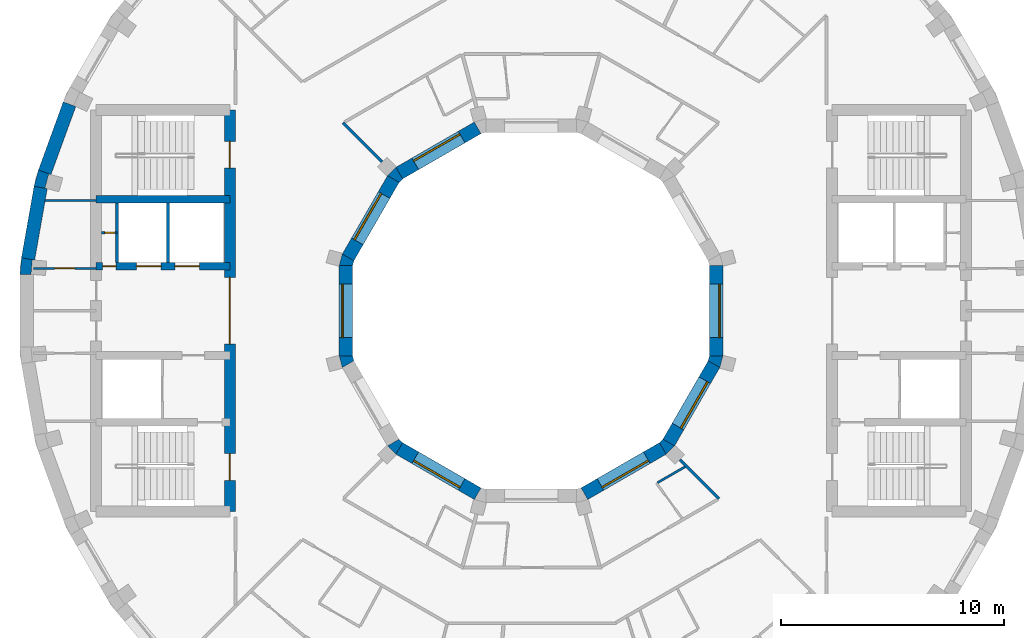
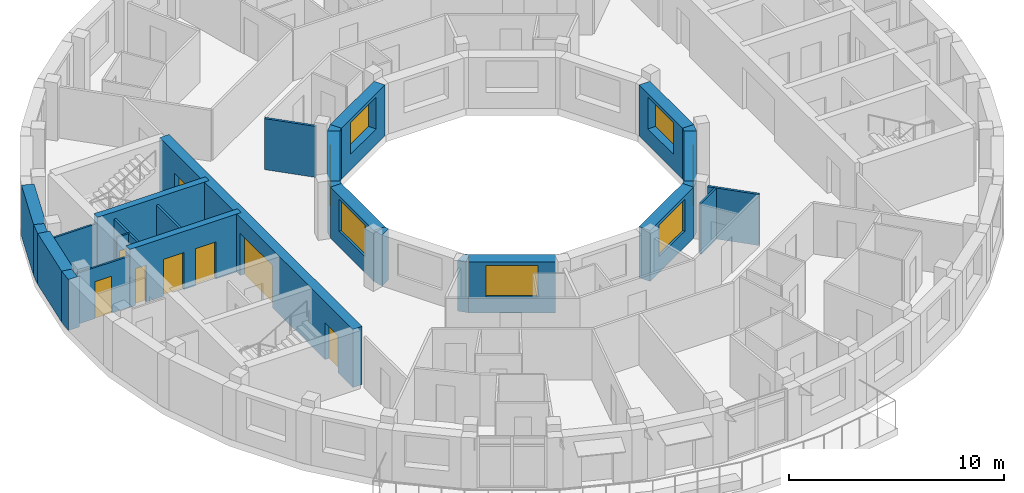
# One storey, part 6 of 12: 28 walls, 8 doors, 7 windows, 15 openings.
"""IFC4 building model written with IfcOpenShell, lengths in metres."""

from ifc_helpers import new_model, si_unit, direction, frame, frame_2d, origin, place, context, subcontext, project, spatial, polyline, rectangle, outline, extrude, material, layer, layer_set, type_object, element, fill, save


model = new_model("IFC4")

# Units and contexts
model_context = context("Model", 3, precision=1e-05, world=origin(), true_north=direction((0.0, 1.0)))
body_context = subcontext(model_context, "Body", "Model", "MODEL_VIEW")
ifc_project = project(units=[si_unit("LENGTHUNIT", "METRE"), si_unit("AREAUNIT", "SQUARE_METRE"), si_unit("VOLUMEUNIT", "CUBIC_METRE"), si_unit("PLANEANGLEUNIT", "RADIAN"), si_unit("MASSUNIT", "GRAM", prefix="KILO")], contexts=[model_context])

# Site, building, storey
site_placement = place(None, origin())
site = spatial("IfcSite", under=ifc_project, at=site_placement, CompositionType="ELEMENT")
building_placement = place(site_placement, origin())
building = spatial("IfcBuilding", under=site, at=building_placement, Name="Saqina Gate Tower", CompositionType="ELEMENT")
storey_placement = place(building_placement, frame((0.0, 0.0, 269.300048828125)))
storey = spatial("IfcBuildingStorey", under=building, at=storey_placement, Name="L77", CompositionType="ELEMENT", Elevation=269.300048828125)

# Walls
ifc_material_1 = material(Name="Brick masonry (buff)", Category="masonry")
wall_type_1 = type_object("IfcWallType", Name="BRICK PIER COPING BUFF", PredefinedType="SOLIDWALL", material=ifc_material_1)
wall_1_placement = place(storey_placement, origin())
element("IfcWall", 1, at=wall_1_placement, inside=storey, type_object=wall_type_1, Name="Pier cap L77 column 17", PredefinedType="SOLIDWALL", context=body_context, shape_type="SweptSolid", body=[
    extrude(outline(polyline([(-22.281982421875, 5.579833984375), (-21.691162109375, 5.4755859375), (-21.793212890625, 5.5029296875), (-21.625, 6.130859375), (-21.52294921875, 6.103515625), (-22.0869140625, 6.30859375), (-22.281982421875, 5.579833984375)])), origin(), (0.0, 0.0, 1.0), 2.89990234375),
])
wall_2_placement = place(storey_placement, origin())
element("IfcWall", 2, at=wall_2_placement, inside=storey, type_object=wall_type_1, Name="Pier cap L77 column 18", PredefinedType="SOLIDWALL", context=body_context, shape_type="SweptSolid", body=[
    extrude(outline(polyline([(-22.8466796875, 2.377685546875), (-22.91259765625, 1.625732421875), (-22.3125, 1.625732421875), (-22.417724609375, 1.635009765625), (-22.361083984375, 2.28271484375), (-22.255859375, 2.2734375), (-22.8466796875, 2.377685546875)])), origin(), (0.0, 0.0, 1.0), 2.89990234375),
])

# Wall, opening, door
ifc_material_2 = material(Name="Gypsum board on steel studs", Category="steel")
ifc_layer_1 = layer(ifc_material_2, 0.10009765625)
ifc_layer_set_1 = layer_set([ifc_layer_1], Name="CORE PARTITION")
wall_type_2 = type_object("IfcWallType", Name="CORE PARTITION", PredefinedType="PARTITIONING", material=ifc_layer_set_1)
wall_3_placement = place(storey_placement, frame((-18.56005859375, 3.5, 0.0), z_axis=(0.0, 0.0, 1.0), x_axis=(-1.0, 0.0, 0.0)))
wall_3 = element("IfcWall", 3, at=wall_3_placement, inside=storey, type_object=wall_type_2, Name="L77-CP-W01", PredefinedType="PARTITIONING", context=body_context, shape_type="SweptSolid", body=[
    extrude(rectangle(XDim=0.68994140625, YDim=0.10009765625, at=frame_2d((0.344970703125, 0.0))), origin(), (0.0, 0.0, 1.0), 2.89990234375),
])
opening_1_placement = place(wall_3_placement, frame((0.10009765625, 0.0, 0.0)))
opening_1 = element("IfcOpeningElement", 4, at=opening_1_placement, cuts=wall_3, Name="Opening G23-D107", PredefinedType="OPENING", context=body_context, shape_type="SweptSolid", body=[
    extrude(rectangle(XDim=0.449951171875, YDim=2.10009765625, at=frame_2d((0.22509765625, 1.050048828125))), frame((0.0, 0.06201171875, 0.0), z_axis=(0.0, -1.0, 0.0), x_axis=(1.0, 0.0, 0.0)), (0.0, 0.0, 1.0), 0.1240234375),
])
ifc_material_3 = material(Name="Steel-framed fire door leaf, EI 60", Category="steel")
door_type_1 = type_object("IfcDoorType", Name="SERVICE ROOM DOOR 450", OperationType="SINGLE_SWING_LEFT", PredefinedType="DOOR", material=ifc_material_3)
door_1_placement = place(opening_1_placement, origin())
door_1 = element("IfcDoor", 5, at=door_1_placement, inside=storey, type_object=door_type_1, Name="L77-CD-W18", OperationType="SINGLE_SWING_RIGHT", OverallHeight=2.10009765625, OverallWidth=0.449951171875, PredefinedType="DOOR", context=body_context, shape_type="SweptSolid", body=[
    extrude(rectangle(XDim=0.449951171875, YDim=2.10009765625, at=frame_2d((0.22509765625, 1.050048828125))), frame((0.0, 0.02490234375, 0.0), z_axis=(0.0, -1.0, 0.0), x_axis=(1.0, 0.0, 0.0)), (0.0, 0.0, 1.0), 0.050048828125),
])
fill(opening_1, door_1)

# Wall
wall_4_placement = place(storey_placement, frame((-19.5, 4.949951171875, 0.0), z_axis=(0.0, 0.0, 1.0), x_axis=(-1.0, 0.0, 0.0)))
element("IfcWall", 6, at=wall_4_placement, inside=storey, type_object=wall_type_2, Name="L77-CP-W02", PredefinedType="PARTITIONING", context=body_context, shape_type="SweptSolid", body=[
    extrude(rectangle(XDim=2.283935546875, YDim=0.10009765625, at=frame_2d((1.14208984375, 0.0))), origin(), (0.0, 0.0, 1.0), 2.89990234375),
])

# Wall, opening, door
wall_5_placement = place(storey_placement, frame((-19.5, 1.89990234375, 0.0), z_axis=(0.0, 0.0, 1.0), x_axis=(-1.0, 0.0, 0.0)))
wall_5 = element("IfcWall", 7, at=wall_5_placement, inside=storey, type_object=wall_type_2, Name="L77-CP-W03", PredefinedType="PARTITIONING", context=body_context, shape_type="SweptSolid", body=[
    extrude(rectangle(XDim=2.8125, YDim=0.10009765625, at=frame_2d((1.40625, 0.0))), origin(), (0.0, 0.0, 1.0), 2.89990234375),
])
opening_2_placement = place(wall_5_placement, frame((0.956298828125, 0.0, 0.0)))
opening_2 = element("IfcOpeningElement", 8, at=opening_2_placement, cuts=wall_5, Name="Opening G23-D103", PredefinedType="OPENING", context=body_context, shape_type="SweptSolid", body=[
    extrude(rectangle(XDim=0.89990234375, YDim=2.10009765625, at=frame_2d((0.449951171875, 1.050048828125))), frame((0.0, 0.06201171875, 0.0), z_axis=(0.0, -1.0, 0.0), x_axis=(1.0, 0.0, 0.0)), (0.0, 0.0, 1.0), 0.1240234375),
])
ifc_material_4 = material(Name="Steel-framed fire door leaf, EI 60", Category="steel")
door_type_2 = type_object("IfcDoorType", Name="SERVICE ROOM DOOR 900", OperationType="SINGLE_SWING_LEFT", PredefinedType="DOOR", material=ifc_material_4)
door_2_placement = place(opening_2_placement, frame((0.89990234375, 0.0, 0.0), z_axis=(0.0, 0.0, 1.0), x_axis=(-1.0, 0.0, 0.0)))
door_2 = element("IfcDoor", 9, at=door_2_placement, inside=storey, type_object=door_type_2, Name="L77-CD-W14", OperationType="SINGLE_SWING_LEFT", OverallHeight=2.10009765625, OverallWidth=0.89990234375, PredefinedType="DOOR", context=body_context, shape_type="SweptSolid", body=[
    extrude(rectangle(XDim=0.89990234375, YDim=2.10009765625, at=frame_2d((0.449951171875, 1.050048828125))), frame((0.0, 0.02490234375, 0.0), z_axis=(0.0, -1.0, 0.0), x_axis=(1.0, 0.0, 0.0)), (0.0, 0.0, 1.0), 0.050048828125),
])
fill(opening_2, door_2)

# Walls
ifc_material_5 = material(Name="Glazed ceramic tile", Category="ceramic")
ifc_layer_2 = layer(ifc_material_5, 0.60009765625)
ifc_layer_set_2 = layer_set([ifc_layer_2], Name="FW-TILE")
wall_type_3 = type_object("IfcWallType", Name="FW-TILE", PredefinedType="SOLIDWALL", material=ifc_layer_set_2)
wall_6_placement = place(storey_placement, frame((-20.692626953125, 9.26171875, 0.0), z_axis=(0.0, 0.0, 1.0), x_axis=(-0.342056509473, -0.939679383794, 0.0)))
element("IfcWall", 10, at=wall_6_placement, inside=storey, type_object=wall_type_3, Name="Facade wall L77 facet 16", PredefinedType="SOLIDWALL", context=body_context, shape_type="SweptSolid", body=[
    extrude(rectangle(XDim=3.251708984375, YDim=0.60009765625, at=frame_2d((1.6259765625, 0.0))), origin(), (0.0, 0.0, 1.0), 2.89990234375),
])
ifc_material_6 = material(Name="Glazed ceramic tile (dark blue)", Category="ceramic")
ifc_layer_3 = layer(ifc_material_6, 0.60009765625)
ifc_layer_set_3 = layer_set([ifc_layer_3], Name="FW-TILE-CB")
wall_type_4 = type_object("IfcWallType", Name="FW-TILE-CB", PredefinedType="SOLIDWALL", material=ifc_layer_set_3)
wall_7_placement = place(storey_placement, frame((-21.986572265625, 5.52783203125, 0.0), z_axis=(0.0, 0.0, 1.0), x_axis=(-0.173656842178, -0.984806225186, 0.0)))
element("IfcWall", 11, at=wall_7_placement, inside=storey, type_object=wall_type_4, Name="Facade wall L77 facet 17", PredefinedType="SOLIDWALL", context=body_context, shape_type="SweptSolid", body=[
    extrude(rectangle(XDim=3.251708984375, YDim=0.60009765625, at=frame_2d((1.6259765625, 0.0))), origin(), (0.0, 0.0, 1.0), 2.89990234375),
])

# Wall, opening, window
ifc_material_7 = material(Name="Glazed ceramic tile", Category="ceramic")
ifc_layer_4 = layer(ifc_material_7, 0.60009765625)
ifc_layer_set_4 = layer_set([ifc_layer_4], Name="IW-TILE")
wall_type_5 = type_object("IfcWallType", Name="IW-TILE", PredefinedType="SOLIDWALL", material=ifc_layer_set_4)
wall_8_placement = place(storey_placement, frame((-2.392578125, 8.20263671875, 0.0), z_axis=(0.0, 0.0, 1.0), x_axis=(-0.866028316509, -0.499994954979, 0.0)))
wall_8 = element("IfcWall", 12, at=wall_8_placement, inside=storey, type_object=wall_type_5, Name="Well wall L77 facet 4", PredefinedType="SOLIDWALL", context=body_context, shape_type="SweptSolid", body=[
    extrude(rectangle(XDim=4.05859375, YDim=0.60009765625, at=frame_2d((2.029296875, 0.0))), origin(), (0.0, 0.0, 1.0), 2.89990234375),
])
opening_3_placement = place(wall_8_placement, frame((0.829345703125, 0.0, 0.89990234375)))
opening_3 = element("IfcOpeningElement", 13, at=opening_3_placement, cuts=wall_8, Name="Opening G23-W26", PredefinedType="OPENING", context=body_context, shape_type="SweptSolid", body=[
    extrude(rectangle(XDim=2.39990234375, YDim=1.800048828125, at=frame_2d((1.199951171875, 0.89990234375))), frame((0.0, 0.31201171875, 0.0), z_axis=(0.0, -1.0, 0.0), x_axis=(1.0, 0.0, 0.0)), (0.0, 0.0, 1.0), 0.6240234375),
])
ifc_material_8 = material(Name="Aluminium glazing", Category="aluminium")
window_type = type_object("IfcWindowType", Name="WN-W", PartitioningType="SINGLE_PANEL", PredefinedType="WINDOW", material=ifc_material_8)
window_1_placement = place(opening_3_placement, origin())
window_1 = element("IfcWindow", 14, at=window_1_placement, inside=storey, type_object=window_type, Name="Well window L77 facet 4", OverallHeight=1.800048828125, OverallWidth=2.39990234375, PartitioningType="SINGLE_PANEL", PredefinedType="WINDOW", context=body_context, shape_type="SweptSolid", body=[
    extrude(rectangle(XDim=2.39990234375, YDim=1.800048828125, at=frame_2d((1.199951171875, 0.89990234375))), frame((0.0, -0.119873046875, 0.0), z_axis=(0.0, -1.0, 0.0), x_axis=(1.0, 0.0, 0.0)), (0.0, 0.0, 1.0), 0.06005859375),
])
fill(opening_3, window_1)

wall_9_placement = place(storey_placement, frame((-6.17333984375, 5.907470703125, 0.0), z_axis=(0.0, 0.0, 1.0), x_axis=(-0.499994954979, -0.866028316509, 0.0)))
wall_9 = element("IfcWall", 15, at=wall_9_placement, inside=storey, type_object=wall_type_5, Name="Well wall L77 facet 5", PredefinedType="SOLIDWALL", context=body_context, shape_type="SweptSolid", body=[
    extrude(rectangle(XDim=4.05859375, YDim=0.60009765625, at=frame_2d((2.029296875, 0.0))), origin(), (0.0, 0.0, 1.0), 2.89990234375),
])
opening_4_placement = place(wall_9_placement, frame((0.829345703125, 0.0, 0.89990234375)))
opening_4 = element("IfcOpeningElement", 16, at=opening_4_placement, cuts=wall_9, Name="Opening G23-W27", PredefinedType="OPENING", context=body_context, shape_type="SweptSolid", body=[
    extrude(rectangle(XDim=2.39990234375, YDim=1.800048828125, at=frame_2d((1.199951171875, 0.89990234375))), frame((0.0, 0.31201171875, 0.0), z_axis=(0.0, -1.0, 0.0), x_axis=(1.0, 0.0, 0.0)), (0.0, 0.0, 1.0), 0.6240234375),
])
window_2_placement = place(opening_4_placement, origin())
window_2 = element("IfcWindow", 17, at=window_2_placement, inside=storey, type_object=window_type, Name="Well window L77 facet 5", OverallHeight=1.800048828125, OverallWidth=2.39990234375, PartitioningType="SINGLE_PANEL", PredefinedType="WINDOW", context=body_context, shape_type="SweptSolid", body=[
    extrude(rectangle(XDim=2.39990234375, YDim=1.800048828125, at=frame_2d((1.199951171875, 0.89990234375))), frame((0.0, -0.119873046875, 0.0), z_axis=(0.0, -1.0, 0.0), x_axis=(1.0, 0.0, 0.0)), (0.0, 0.0, 1.0), 0.06005859375),
])
fill(opening_4, window_2)

wall_10_placement = place(storey_placement, frame((-8.300048828125, 2.029296875, 0.0), z_axis=(0.0, 0.0, 1.0), x_axis=(0.0, -1.0, 0.0)))
wall_10 = element("IfcWall", 18, at=wall_10_placement, inside=storey, type_object=wall_type_5, Name="Well wall L77 facet 6", PredefinedType="SOLIDWALL", context=body_context, shape_type="SweptSolid", body=[
    extrude(rectangle(XDim=4.05859375, YDim=0.60009765625, at=frame_2d((2.029296875, 0.0))), origin(), (0.0, 0.0, 1.0), 2.89990234375),
])
opening_5_placement = place(wall_10_placement, frame((0.829345703125, 0.0, 0.89990234375)))
opening_5 = element("IfcOpeningElement", 19, at=opening_5_placement, cuts=wall_10, Name="Opening G23-W28", PredefinedType="OPENING", context=body_context, shape_type="SweptSolid", body=[
    extrude(rectangle(XDim=2.39990234375, YDim=1.800048828125, at=frame_2d((1.199951171875, 0.89990234375))), frame((0.0, 0.31201171875, 0.0), z_axis=(0.0, -1.0, 0.0), x_axis=(1.0, 0.0, 0.0)), (0.0, 0.0, 1.0), 0.6240234375),
])
window_3_placement = place(opening_5_placement, origin())
window_3 = element("IfcWindow", 20, at=window_3_placement, inside=storey, type_object=window_type, Name="Well window L77 facet 6", OverallHeight=1.800048828125, OverallWidth=2.39990234375, PartitioningType="SINGLE_PANEL", PredefinedType="WINDOW", context=body_context, shape_type="SweptSolid", body=[
    extrude(rectangle(XDim=2.39990234375, YDim=1.800048828125, at=frame_2d((1.199951171875, 0.89990234375))), frame((0.0, -0.119873046875, 0.0), z_axis=(0.0, -1.0, 0.0), x_axis=(1.0, 0.0, 0.0)), (0.0, 0.0, 1.0), 0.06005859375),
])
fill(opening_5, window_3)

wall_11_placement = place(storey_placement, frame((-5.907470703125, -6.17333984375, 0.0), z_axis=(0.0, 0.0, 1.0), x_axis=(0.866028316509, -0.499994954979, 0.0)))
wall_11 = element("IfcWall", 21, at=wall_11_placement, inside=storey, type_object=wall_type_5, Name="Well wall L77 facet 8", PredefinedType="SOLIDWALL", context=body_context, shape_type="SweptSolid", body=[
    extrude(rectangle(XDim=4.05859375, YDim=0.60009765625, at=frame_2d((2.029296875, 0.0))), origin(), (0.0, 0.0, 1.0), 2.89990234375),
])
opening_6_placement = place(wall_11_placement, frame((0.829345703125, 0.0, 0.89990234375)))
opening_6 = element("IfcOpeningElement", 22, at=opening_6_placement, cuts=wall_11, Name="Opening G23-W30", PredefinedType="OPENING", context=body_context, shape_type="SweptSolid", body=[
    extrude(rectangle(XDim=2.39990234375, YDim=1.800048828125, at=frame_2d((1.199951171875, 0.89990234375))), frame((0.0, 0.31201171875, 0.0), z_axis=(0.0, -1.0, 0.0), x_axis=(1.0, 0.0, 0.0)), (0.0, 0.0, 1.0), 0.6240234375),
])
window_4_placement = place(opening_6_placement, origin())
window_4 = element("IfcWindow", 23, at=window_4_placement, inside=storey, type_object=window_type, Name="Well window L77 facet 8", OverallHeight=1.800048828125, OverallWidth=2.39990234375, PartitioningType="SINGLE_PANEL", PredefinedType="WINDOW", context=body_context, shape_type="SweptSolid", body=[
    extrude(rectangle(XDim=2.39990234375, YDim=1.800048828125, at=frame_2d((1.199951171875, 0.89990234375))), frame((0.0, -0.119873046875, 0.0), z_axis=(0.0, -1.0, 0.0), x_axis=(1.0, 0.0, 0.0)), (0.0, 0.0, 1.0), 0.06005859375),
])
fill(opening_6, window_4)

wall_12_placement = place(storey_placement, frame((2.392578125, -8.20263671875, 0.0), z_axis=(0.0, 0.0, 1.0), x_axis=(0.866028316509, 0.499994954979, 0.0)))
wall_12 = element("IfcWall", 24, at=wall_12_placement, inside=storey, type_object=wall_type_5, Name="Well wall L77 facet 10", PredefinedType="SOLIDWALL", context=body_context, shape_type="SweptSolid", body=[
    extrude(rectangle(XDim=4.05859375, YDim=0.60009765625, at=frame_2d((2.029296875, 0.0))), origin(), (0.0, 0.0, 1.0), 2.89990234375),
])
opening_7_placement = place(wall_12_placement, frame((0.829345703125, 0.0, 0.89990234375)))
opening_7 = element("IfcOpeningElement", 25, at=opening_7_placement, cuts=wall_12, Name="Opening G23-W32", PredefinedType="OPENING", context=body_context, shape_type="SweptSolid", body=[
    extrude(rectangle(XDim=2.39990234375, YDim=1.800048828125, at=frame_2d((1.199951171875, 0.89990234375))), frame((0.0, 0.31201171875, 0.0), z_axis=(0.0, -1.0, 0.0), x_axis=(1.0, 0.0, 0.0)), (0.0, 0.0, 1.0), 0.6240234375),
])
window_5_placement = place(opening_7_placement, origin())
window_5 = element("IfcWindow", 26, at=window_5_placement, inside=storey, type_object=window_type, Name="Well window L77 facet 10", OverallHeight=1.800048828125, OverallWidth=2.39990234375, PartitioningType="SINGLE_PANEL", PredefinedType="WINDOW", context=body_context, shape_type="SweptSolid", body=[
    extrude(rectangle(XDim=2.39990234375, YDim=1.800048828125, at=frame_2d((1.199951171875, 0.89990234375))), frame((0.0, -0.119873046875, 0.0), z_axis=(0.0, -1.0, 0.0), x_axis=(1.0, 0.0, 0.0)), (0.0, 0.0, 1.0), 0.06005859375),
])
fill(opening_7, window_5)

wall_13_placement = place(storey_placement, frame((6.17333984375, -5.907470703125, 0.0), z_axis=(0.0, 0.0, 1.0), x_axis=(0.499994954979, 0.866028316509, 0.0)))
wall_13 = element("IfcWall", 27, at=wall_13_placement, inside=storey, type_object=wall_type_5, Name="Well wall L77 facet 11", PredefinedType="SOLIDWALL", context=body_context, shape_type="SweptSolid", body=[
    extrude(rectangle(XDim=4.05859375, YDim=0.60009765625, at=frame_2d((2.029296875, 0.0))), origin(), (0.0, 0.0, 1.0), 2.89990234375),
])
opening_8_placement = place(wall_13_placement, frame((0.829345703125, 0.0, 0.89990234375)))
opening_8 = element("IfcOpeningElement", 28, at=opening_8_placement, cuts=wall_13, Name="Opening G23-W33", PredefinedType="OPENING", context=body_context, shape_type="SweptSolid", body=[
    extrude(rectangle(XDim=2.39990234375, YDim=1.800048828125, at=frame_2d((1.199951171875, 0.89990234375))), frame((0.0, 0.31201171875, 0.0), z_axis=(0.0, -1.0, 0.0), x_axis=(1.0, 0.0, 0.0)), (0.0, 0.0, 1.0), 0.6240234375),
])
window_6_placement = place(opening_8_placement, origin())
window_6 = element("IfcWindow", 29, at=window_6_placement, inside=storey, type_object=window_type, Name="Well window L77 facet 11", OverallHeight=1.800048828125, OverallWidth=2.39990234375, PartitioningType="SINGLE_PANEL", PredefinedType="WINDOW", context=body_context, shape_type="SweptSolid", body=[
    extrude(rectangle(XDim=2.39990234375, YDim=1.800048828125, at=frame_2d((1.199951171875, 0.89990234375))), frame((0.0, -0.119873046875, 0.0), z_axis=(0.0, -1.0, 0.0), x_axis=(1.0, 0.0, 0.0)), (0.0, 0.0, 1.0), 0.06005859375),
])
fill(opening_8, window_6)

wall_14_placement = place(storey_placement, frame((8.300048828125, -2.029296875, 0.0), z_axis=(0.0, 0.0, 1.0), x_axis=(0.0, 1.0, 0.0)))
wall_14 = element("IfcWall", 30, at=wall_14_placement, inside=storey, type_object=wall_type_5, Name="Well wall L77 facet 12", PredefinedType="SOLIDWALL", context=body_context, shape_type="SweptSolid", body=[
    extrude(rectangle(XDim=4.05859375, YDim=0.60009765625, at=frame_2d((2.029296875, 0.0))), origin(), (0.0, 0.0, 1.0), 2.89990234375),
])
opening_9_placement = place(wall_14_placement, frame((0.829345703125, 0.0, 0.89990234375)))
opening_9 = element("IfcOpeningElement", 31, at=opening_9_placement, cuts=wall_14, Name="Opening G23-W34", PredefinedType="OPENING", context=body_context, shape_type="SweptSolid", body=[
    extrude(rectangle(XDim=2.39990234375, YDim=1.800048828125, at=frame_2d((1.199951171875, 0.89990234375))), frame((0.0, 0.31201171875, 0.0), z_axis=(0.0, -1.0, 0.0), x_axis=(1.0, 0.0, 0.0)), (0.0, 0.0, 1.0), 0.6240234375),
])
window_7_placement = place(opening_9_placement, origin())
window_7 = element("IfcWindow", 32, at=window_7_placement, inside=storey, type_object=window_type, Name="Well window L77 facet 12", OverallHeight=1.800048828125, OverallWidth=2.39990234375, PartitioningType="SINGLE_PANEL", PredefinedType="WINDOW", context=body_context, shape_type="SweptSolid", body=[
    extrude(rectangle(XDim=2.39990234375, YDim=1.800048828125, at=frame_2d((1.199951171875, 0.89990234375))), frame((0.0, -0.119873046875, 0.0), z_axis=(0.0, -1.0, 0.0), x_axis=(1.0, 0.0, 0.0)), (0.0, 0.0, 1.0), 0.06005859375),
])
fill(opening_9, window_7)

# Walls
ifc_material_9 = material(Name="Gypsum board on steel studs, 100 mm", Category="steel")
ifc_layer_5 = layer(ifc_material_9, 0.10009765625)
ifc_layer_set_5 = layer_set([ifc_layer_5], Name="PARTITION 100")
wall_type_6 = type_object("IfcWallType", Name="PARTITION 100", PredefinedType="PARTITIONING", material=ifc_layer_set_5)
wall_15_placement = place(storey_placement, frame((5.669189453125, -7.7080078125, 0.0), z_axis=(0.0, 0.0, 1.0), x_axis=(0.866134428192, 0.499811116623, 0.0)))
element("IfcWall", 33, at=wall_15_placement, inside=storey, type_object=wall_type_6, Name="PARTITION PW3-35", PredefinedType="PARTITIONING", context=body_context, shape_type="SweptSolid", body=[
    extrude(rectangle(XDim=1.43017578125, YDim=0.10009765625, at=frame_2d((0.715087890625, 0.0))), origin(), (0.0, 0.0, 1.0), 2.89990234375),
])
ifc_material_10 = material(Name="Gypsum board on steel studs, 125 mm, fire rated", Category="steel")
ifc_layer_6 = layer(ifc_material_10, 0.125)
ifc_layer_set_6 = layer_set([ifc_layer_6], Name="PARTITION EI 30 125")
wall_type_7 = type_object("IfcWallType", Name="PARTITION EI 30 125", PredefinedType="PARTITIONING", material=ifc_layer_set_6)
for number, where, z_axis, x_axis, name in (
    (34, (-8.426025390625, 8.426025390625, 0.0), (0.0, 0.0, 1.0), (0.707106781187, -0.707106781187, 0.0), "PARTITION PW1-08"),
    (35, (6.6767578125, -6.6767578125, 0.0), (0.0, 0.0, 1.0), (0.707106781187, -0.707106781187, 0.0), "PARTITION PW1-09"),
):
    element("IfcWall", number, at=place(storey_placement, frame(where, z_axis=z_axis, x_axis=x_axis)), inside=storey, type_object=wall_type_7, Name=name, PredefinedType="PARTITIONING", context=body_context, shape_type="SweptSolid", body=[
        extrude(rectangle(XDim=2.473876953125, YDim=0.125, at=frame_2d((1.23681640625, 0.0))), origin(), (0.0, 0.0, 1.0), 2.89990234375),
    ])
ifc_material_11 = material(Name="Autoclaved aerated concrete block", Category="concrete")
ifc_layer_7 = layer(ifc_material_11, 0.1201171875)
ifc_layer_set_7 = layer_set([ifc_layer_7], Name="SHAFT PARTITION")
wall_type_8 = type_object("IfcWallType", Name="SHAFT PARTITION", PredefinedType="PARTITIONING", material=ifc_layer_set_7)
for number, where, z_axis, x_axis, name in (
    (36, (-16.280029296875, 2.175048828125, 0.0), (0.0, 0.0, 1.0), (0.0, 1.0, 0.0), "L77-CP-W07"),
    (37, (-18.56005859375, 2.175048828125, 0.0), (0.0, 0.0, 1.0), (0.0, 1.0, 0.0), "L77-CP-W08"),
):
    element("IfcWall", number, at=place(storey_placement, frame(where, z_axis=z_axis, x_axis=x_axis)), inside=storey, type_object=wall_type_8, Name=name, PredefinedType="PARTITIONING", context=body_context, shape_type="SweptSolid", body=[
        extrude(rectangle(XDim=2.64990234375, YDim=0.1201171875, at=frame_2d((1.324951171875, 0.0))), origin(), (0.0, 0.0, 1.0), 2.89990234375),
    ])
ifc_material_12 = material(Name="Concrete C60/75", Category="concrete")
ifc_layer_8 = layer(ifc_material_12, 0.35009765625)
ifc_layer_set_8 = layer_set([ifc_layer_8], Name="Concrete C60/75")
wall_type_9 = type_object("IfcWallType", Name="STR-CORE WALL-D-I", PredefinedType="SHEAR", material=ifc_layer_set_8)
wall_16_placement = place(storey_placement, frame((-13.5, 5.0, 0.0), z_axis=(0.0, 0.0, 1.0), x_axis=(-1.0, 0.0, 0.0)))
element("IfcWall", 38, at=wall_16_placement, inside=storey, type_object=wall_type_9, Name="CORE WALL L77 W-X1", PredefinedType="SHEAR", context=body_context, shape_type="SweptSolid", body=[
    extrude(rectangle(XDim=6.0, YDim=0.35009765625, at=frame_2d((3.0, 0.0))), origin(), (0.0, 0.0, 1.0), 3.300048828125),
])

# Wall, openings, doors
wall_17_placement = place(storey_placement, frame((-13.5, 2.0, 0.0), z_axis=(0.0, 0.0, 1.0), x_axis=(-1.0, 0.0, 0.0)))
wall_17 = element("IfcWall", 39, at=wall_17_placement, inside=storey, type_object=wall_type_9, Name="CORE WALL L77 W-L1", PredefinedType="SHEAR", context=body_context, shape_type="SweptSolid", body=[
    extrude(rectangle(XDim=6.0, YDim=0.35009765625, at=frame_2d((3.0, 0.0))), origin(), (0.0, 0.0, 1.0), 3.300048828125),
])
opening_10_placement = place(wall_17_placement, frame((1.3701171875, 0.0, 0.0)))
opening_10 = element("IfcOpeningElement", 40, at=opening_10_placement, cuts=wall_17, Name="Opening G23-LD4", PredefinedType="OPENING", context=body_context, shape_type="SweptSolid", body=[
    extrude(rectangle(XDim=1.10009765625, YDim=2.10009765625, at=frame_2d((0.550048828125, 1.050048828125))), frame((0.0, 0.18701171875, 0.0), z_axis=(0.0, -1.0, 0.0), x_axis=(1.0, 0.0, 0.0)), (0.0, 0.0, 1.0), 0.3740234375),
])
opening_11_placement = place(wall_17_placement, frame((3.090087890625, 0.0, 0.0)))
opening_11 = element("IfcOpeningElement", 41, at=opening_11_placement, cuts=wall_17, Name="Opening G23-LD5", PredefinedType="OPENING", context=body_context, shape_type="SweptSolid", body=[
    extrude(rectangle(XDim=1.10009765625, YDim=2.10009765625, at=frame_2d((0.550048828125, 1.050048828125))), frame((0.0, 0.18701171875, 0.0), z_axis=(0.0, -1.0, 0.0), x_axis=(1.0, 0.0, 0.0)), (0.0, 0.0, 1.0), 0.3740234375),
])
opening_12_placement = place(wall_17_placement, frame((5.10498046875, 0.0, 0.0)))
opening_12 = element("IfcOpeningElement", 42, at=opening_12_placement, cuts=wall_17, Name="Opening G23-D101", PredefinedType="OPENING", context=body_context, shape_type="SweptSolid", body=[
    extrude(rectangle(XDim=0.60009765625, YDim=2.10009765625, at=frame_2d((0.300048828125, 1.050048828125))), frame((0.0, 0.18701171875, 0.0), z_axis=(0.0, -1.0, 0.0), x_axis=(1.0, 0.0, 0.0)), (0.0, 0.0, 1.0), 0.3740234375),
])
ifc_material_13 = material(Name="Stainless steel", Category="steel")
door_type_3 = type_object("IfcDoorType", Name="LANDING DOOR", OperationType="DOUBLE_DOOR_SLIDING", PredefinedType="DOOR", material=ifc_material_13)
door_3_placement = place(opening_10_placement, origin())
door_3 = element("IfcDoor", 43, at=door_3_placement, inside=storey, type_object=door_type_3, Name="LANDING DOOR HR3", OperationType="DOUBLE_DOOR_SLIDING", OverallHeight=2.10009765625, OverallWidth=1.10009765625, PredefinedType="DOOR", context=body_context, shape_type="SweptSolid", body=[
    extrude(rectangle(XDim=1.10009765625, YDim=2.10009765625, at=frame_2d((0.550048828125, 1.050048828125))), frame((0.0, 0.02490234375, 0.0), z_axis=(0.0, -1.0, 0.0), x_axis=(1.0, 0.0, 0.0)), (0.0, 0.0, 1.0), 0.050048828125),
])
fill(opening_10, door_3)
door_4_placement = place(opening_11_placement, origin())
door_4 = element("IfcDoor", 44, at=door_4_placement, inside=storey, type_object=door_type_3, Name="LANDING DOOR HR4", OperationType="DOUBLE_DOOR_SLIDING", OverallHeight=2.10009765625, OverallWidth=1.10009765625, PredefinedType="DOOR", context=body_context, shape_type="SweptSolid", body=[
    extrude(rectangle(XDim=1.10009765625, YDim=2.10009765625, at=frame_2d((0.550048828125, 1.050048828125))), frame((0.0, 0.02490234375, 0.0), z_axis=(0.0, -1.0, 0.0), x_axis=(1.0, 0.0, 0.0)), (0.0, 0.0, 1.0), 0.050048828125),
])
fill(opening_11, door_4)
ifc_material_14 = material(Name="Steel-framed fire door leaf, EI 60", Category="steel")
door_type_4 = type_object("IfcDoorType", Name="SERVICE ROOM DOOR 600", OperationType="SINGLE_SWING_LEFT", PredefinedType="DOOR", material=ifc_material_14)
door_5_placement = place(opening_12_placement, frame((0.60009765625, 0.0, 0.0), z_axis=(0.0, 0.0, 1.0), x_axis=(-1.0, 0.0, 0.0)))
door_5 = element("IfcDoor", 45, at=door_5_placement, inside=storey, type_object=door_type_4, Name="L77-CD-W12", OperationType="SINGLE_SWING_LEFT", OverallHeight=2.10009765625, OverallWidth=0.60009765625, PredefinedType="DOOR", context=body_context, shape_type="SweptSolid", body=[
    extrude(rectangle(XDim=0.60009765625, YDim=2.10009765625, at=frame_2d((0.300048828125, 1.050048828125))), frame((0.0, 0.02490234375, 0.0), z_axis=(0.0, -1.0, 0.0), x_axis=(1.0, 0.0, 0.0)), (0.0, 0.0, 1.0), 0.050048828125),
])
fill(opening_12, door_5)

ifc_material_15 = material(Name="Concrete C60/75", Category="concrete")
ifc_layer_9 = layer(ifc_material_15, 0.5)
ifc_layer_set_9 = layer_set([ifc_layer_9], Name="Concrete C60/75")
wall_type_10 = type_object("IfcWallType", Name="STR-CORE WALL-D-O", PredefinedType="SHEAR", material=ifc_layer_set_9)
wall_18_placement = place(storey_placement, frame((-13.5, -9.0, 0.0), z_axis=(0.0, 0.0, 1.0), x_axis=(0.0, 1.0, 0.0)))
wall_18 = element("IfcWall", 46, at=wall_18_placement, inside=storey, type_object=wall_type_10, Name="CORE WALL L77 W-W1", PredefinedType="SHEAR", context=body_context, shape_type="SweptSolid", body=[
    extrude(rectangle(XDim=18.0, YDim=0.5, at=frame_2d((9.0, 0.0))), origin(), (0.0, 0.0, 1.0), 3.300048828125),
])
opening_13_placement = place(wall_18_placement, frame((15.39990234375, 0.0, 0.0)))
opening_13 = element("IfcOpeningElement", 47, at=opening_13_placement, cuts=wall_18, Name="Opening G23-D109", PredefinedType="OPENING", context=body_context, shape_type="SweptSolid", body=[
    extrude(rectangle(XDim=1.199951171875, YDim=2.10009765625, at=frame_2d((0.60009765625, 1.050048828125))), frame((0.0, 0.261962890625, 0.0), z_axis=(0.0, -1.0, 0.0), x_axis=(1.0, 0.0, 0.0)), (0.0, 0.0, 1.0), 0.52392578125),
])
opening_14_placement = place(wall_18_placement, frame((1.39990234375, 0.0, 0.0)))
opening_14 = element("IfcOpeningElement", 48, at=opening_14_placement, cuts=wall_18, Name="Opening G23-D110", PredefinedType="OPENING", context=body_context, shape_type="SweptSolid", body=[
    extrude(rectangle(XDim=1.199951171875, YDim=2.10009765625, at=frame_2d((0.60009765625, 1.050048828125))), frame((0.0, 0.261962890625, 0.0), z_axis=(0.0, -1.0, 0.0), x_axis=(1.0, 0.0, 0.0)), (0.0, 0.0, 1.0), 0.52392578125),
])
opening_15_placement = place(wall_18_placement, frame((7.5, 0.0, 0.0)))
opening_15 = element("IfcOpeningElement", 49, at=opening_15_placement, cuts=wall_18, Name="Opening G23-D111", PredefinedType="OPENING", context=body_context, shape_type="SweptSolid", body=[
    extrude(rectangle(XDim=3.0, YDim=2.39990234375, at=frame_2d((1.5, 1.199951171875))), frame((0.0, 0.261962890625, 0.0), z_axis=(0.0, -1.0, 0.0), x_axis=(1.0, 0.0, 0.0)), (0.0, 0.0, 1.0), 0.52392578125),
])
ifc_material_16 = material(Name="Steel", Category="steel")
door_type_5 = type_object("IfcDoorType", Name="FIRE DOOR EI 60", OperationType="SINGLE_SWING_LEFT", PredefinedType="DOOR", material=ifc_material_16)
door_6_placement = place(opening_13_placement, origin())
door_6 = element("IfcDoor", 50, at=door_6_placement, inside=storey, type_object=door_type_5, Name="L77-CD-W20", OperationType="SINGLE_SWING_RIGHT", OverallHeight=2.10009765625, OverallWidth=1.199951171875, PredefinedType="DOOR", context=body_context, shape_type="SweptSolid", body=[
    extrude(rectangle(XDim=1.199951171875, YDim=2.10009765625, at=frame_2d((0.60009765625, 1.050048828125))), frame((0.0, 0.02490234375, 0.0), z_axis=(0.0, -1.0, 0.0), x_axis=(1.0, 0.0, 0.0)), (0.0, 0.0, 1.0), 0.050048828125),
])
fill(opening_13, door_6)
door_7_placement = place(opening_14_placement, origin())
door_7 = element("IfcDoor", 51, at=door_7_placement, inside=storey, type_object=door_type_5, Name="L77-CD-W21", OperationType="SINGLE_SWING_LEFT", OverallHeight=2.10009765625, OverallWidth=1.199951171875, PredefinedType="DOOR", context=body_context, shape_type="SweptSolid", body=[
    extrude(rectangle(XDim=1.199951171875, YDim=2.10009765625, at=frame_2d((0.60009765625, 1.050048828125))), frame((0.0, 0.02490234375, 0.0), z_axis=(0.0, -1.0, 0.0), x_axis=(1.0, 0.0, 0.0)), (0.0, 0.0, 1.0), 0.050048828125),
])
fill(opening_14, door_7)
ifc_material_17 = material(Name="Steel and fire-resisting glass", Category="steel")
door_type_6 = type_object("IfcDoorType", Name="LOBBY SCREEN DOOR", OperationType="DOUBLE_DOOR_SLIDING", PredefinedType="DOOR", material=ifc_material_17)
door_8_placement = place(opening_15_placement, origin())
door_8 = element("IfcDoor", 52, at=door_8_placement, inside=storey, type_object=door_type_6, Name="L77-CD-W22", OperationType="DOUBLE_DOOR_SLIDING", OverallHeight=2.39990234375, OverallWidth=3.0, PredefinedType="DOOR", context=body_context, shape_type="SweptSolid", body=[
    extrude(rectangle(XDim=3.0, YDim=2.39990234375, at=frame_2d((1.5, 1.199951171875))), frame((0.0, 0.02490234375, 0.0), z_axis=(0.0, -1.0, 0.0), x_axis=(1.0, 0.0, 0.0)), (0.0, 0.0, 1.0), 0.050048828125),
])
fill(opening_15, door_8)

# Walls
ifc_material_18 = material(Name="Glazed ceramic tile", Category="ceramic")
wall_type_11 = type_object("IfcWallType", Name="TILE PIER COPING", PredefinedType="SOLIDWALL", material=ifc_material_18)
wall_19_placement = place(storey_placement, origin())
element("IfcWall", 53, at=wall_19_placement, inside=storey, type_object=wall_type_11, Name="Well pier cap L77 column 5", PredefinedType="SOLIDWALL", context=body_context, shape_type="SweptSolid", body=[
    extrude(outline(polyline([(-6.43310546875, 6.0576171875), (-5.91357421875, 5.757568359375), (-5.757568359375, 5.91357421875), (-6.0576171875, 6.43310546875), (-6.43310546875, 6.0576171875)])), origin(), (0.0, 0.0, 1.0), 2.89990234375),
])
wall_20_placement = place(storey_placement, origin())
element("IfcWall", 54, at=wall_20_placement, inside=storey, type_object=wall_type_11, Name="Well pier cap L77 column 6", PredefinedType="SOLIDWALL", context=body_context, shape_type="SweptSolid", body=[
    extrude(outline(polyline([(-8.60009765625, 2.029296875), (-8.0, 2.029296875), (-7.94287109375, 2.242431640625), (-8.46240234375, 2.54248046875), (-8.60009765625, 2.029296875)])), origin(), (0.0, 0.0, 1.0), 2.89990234375),
])
wall_21_placement = place(storey_placement, origin())
element("IfcWall", 55, at=wall_21_placement, inside=storey, type_object=wall_type_11, Name="Well pier cap L77 column 7", PredefinedType="SOLIDWALL", context=body_context, shape_type="SweptSolid", body=[
    extrude(outline(polyline([(-8.46240234375, -2.54248046875), (-7.94287109375, -2.242431640625), (-8.0, -2.029296875), (-8.60009765625, -2.029296875), (-8.46240234375, -2.54248046875)])), origin(), (0.0, 0.0, 1.0), 2.89990234375),
])
wall_22_placement = place(storey_placement, origin())
element("IfcWall", 56, at=wall_22_placement, inside=storey, type_object=wall_type_11, Name="Well pier cap L77 column 8", PredefinedType="SOLIDWALL", context=body_context, shape_type="SweptSolid", body=[
    extrude(outline(polyline([(-6.0576171875, -6.43310546875), (-5.757568359375, -5.91357421875), (-5.91357421875, -5.757568359375), (-6.43310546875, -6.0576171875), (-6.0576171875, -6.43310546875)])), origin(), (0.0, 0.0, 1.0), 2.89990234375),
])
wall_23_placement = place(storey_placement, origin())
element("IfcWall", 57, at=wall_23_placement, inside=storey, type_object=wall_type_11, Name="Well pier cap L77 column 11", PredefinedType="SOLIDWALL", context=body_context, shape_type="SweptSolid", body=[
    extrude(outline(polyline([(6.43310546875, -6.0576171875), (5.91357421875, -5.757568359375), (5.757568359375, -5.91357421875), (6.0576171875, -6.43310546875), (6.43310546875, -6.0576171875)])), origin(), (0.0, 0.0, 1.0), 2.89990234375),
])
wall_24_placement = place(storey_placement, origin())
element("IfcWall", 58, at=wall_24_placement, inside=storey, type_object=wall_type_11, Name="Well pier cap L77 column 12", PredefinedType="SOLIDWALL", context=body_context, shape_type="SweptSolid", body=[
    extrude(outline(polyline([(8.60009765625, -2.029296875), (8.0, -2.029296875), (7.94287109375, -2.242431640625), (8.46240234375, -2.54248046875), (8.60009765625, -2.029296875)])), origin(), (0.0, 0.0, 1.0), 2.89990234375),
])

save(model, "model.ifc")
